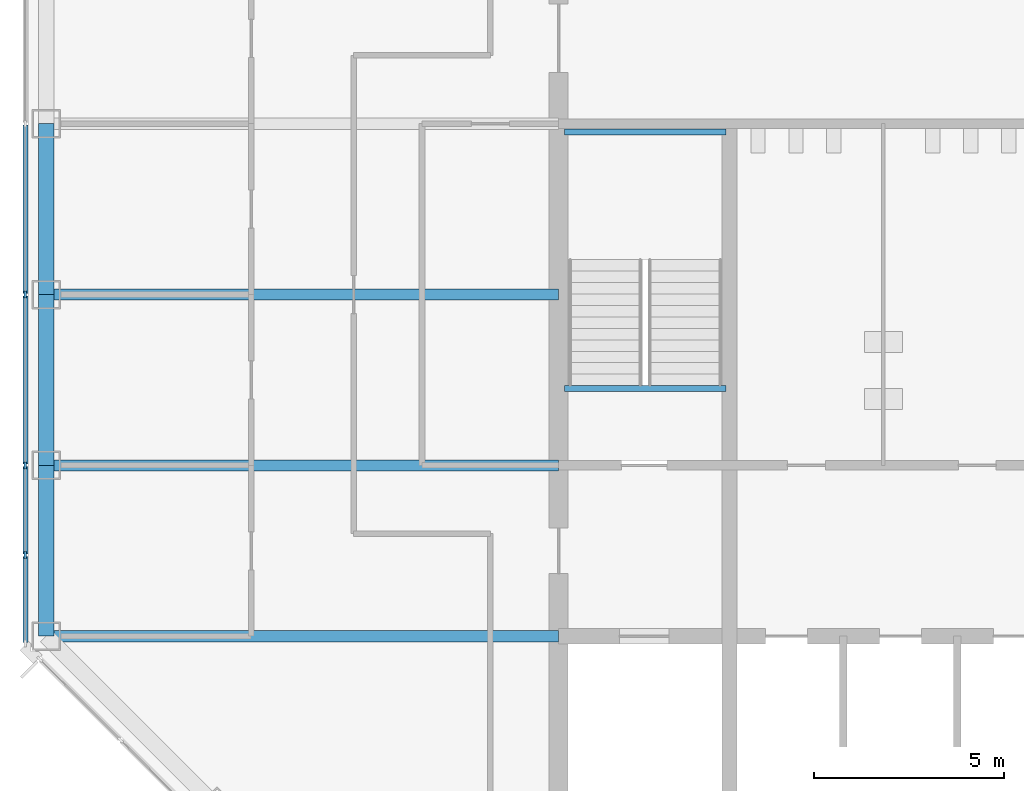
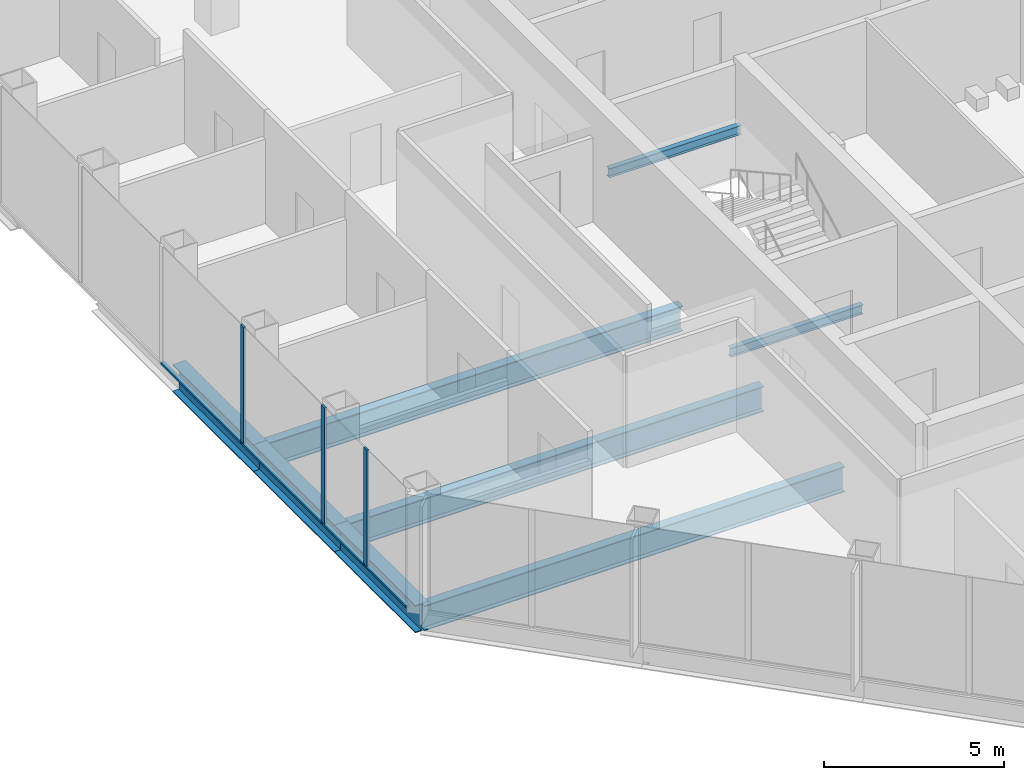
# One storey, part 3 of 13: 8 beams, 7 members, 1 element without a shape of its own.
"""IFC4 building model written with IfcOpenShell, lengths in metres."""

from ifc_helpers import new_model, si_unit, direction, frame, origin, origin_2d, place, context, subcontext, project, spatial, rectangle, i_section, extrude, material, material_profile, profile_set, type_object, element, aggregate, save


model = new_model("IFC4")

# Units and contexts
model_context = context("Model", 3, precision=1e-05, world=origin(), true_north=direction((0.0, 1.0)))
body_context = subcontext(model_context, "Body", "Model", "MODEL_VIEW")
ifc_project = project(units=[si_unit("LENGTHUNIT", "METRE"), si_unit("AREAUNIT", "SQUARE_METRE"), si_unit("VOLUMEUNIT", "CUBIC_METRE"), si_unit("PLANEANGLEUNIT", "RADIAN"), si_unit("MASSUNIT", "GRAM", prefix="KILO")], contexts=[model_context])

# Site, building, storey
site_placement = place(None, origin())
site = spatial("IfcSite", under=ifc_project, at=site_placement, CompositionType="ELEMENT")
building_placement = place(site_placement, origin())
building = spatial("IfcBuilding", under=site, at=building_placement, Name="Corais Broadcast Tower", CompositionType="ELEMENT")
storey_placement = place(building_placement, frame((0.0, 0.0, 195.60009765625)))
storey = spatial("IfcBuildingStorey", under=building, at=storey_placement, Name="L45", CompositionType="ELEMENT", Elevation=195.60009765625)

# Beams
ifc_material_1 = material(Name="Steel ASTM A572 Grade 50", Category="steel")
ifc_material_profile_1 = material_profile(ifc_material_1, i_section(OverallWidth=0.2939453125, OverallDepth=0.85107421875, WebThickness=0.01611328125, FlangeThickness=0.02685546875, at=origin_2d()), Name="W840x226")
ifc_profile_set_1 = profile_set([ifc_material_profile_1], Name="Steel ASTM A572 Grade 50")
beam_type_1 = type_object("IfcBeamType", Name="Floor beam W840x226", PredefinedType="BEAM", material=ifc_profile_set_1)
for number, where, z_axis, x_axis, name in (
    (1, (0.0, 18.0, -0.585693359375), (1.0, 0.0, 0.0), (0.0, 1.0, 0.0), "B1 E/3 to E/6"),
    (2, (0.0, 22.5, -0.585693359375), (1.0, 0.0, 0.0), (0.0, 1.0, 0.0), "B1 F/3 to F/6"),
    (3, (0.0, 27.0, -0.585693359375), (1.0, 0.0, 0.0), (0.0, 1.0, 0.0), "B1 G/3 to G/6"),
):
    element("IfcBeam", number, at=place(storey_placement, frame(where, z_axis=z_axis, x_axis=x_axis)), inside=storey, type_object=beam_type_1, Name=name, PredefinedType="BEAM", context=body_context, shape_type="SweptSolid", body=[
        extrude(i_section(OverallWidth=0.2939453125, OverallDepth=0.85107421875, WebThickness=0.01611328125, FlangeThickness=0.02685546875, at=origin_2d()), origin(), (0.0, 0.0, 1.0), 13.5),
    ])
ifc_material_2 = material(Name="Steel ASTM A572 Grade 50", Category="steel")
ifc_material_profile_2 = material_profile(ifc_material_2, i_section(OverallWidth=0.1650390625, OverallDepth=0.31005859375, WebThickness=0.005859375, FlangeThickness=0.009765625, at=origin_2d()), Name="W310x38.7")
ifc_profile_set_2 = profile_set([ifc_material_profile_2], Name="Steel ASTM A572 Grade 50")
beam_type_2 = type_object("IfcBeamType", Name="Landing trimmer W310x38.7", PredefinedType="BEAM", material=ifc_profile_set_2)
for number, where, z_axis, x_axis, name in (
    (4, (13.64990234375, 24.52490234375, -0.35498046875), (1.0, 0.0, 0.0), (0.0, 1.0, 0.0), "LT1 stair A landing trimmer L45"),
    (5, (13.64990234375, 31.284912109375, 1.64501953125), (1.0, 0.0, 0.0), (0.0, 1.0, 0.0), "LT1 stair A half landing trimmer L45"),
):
    element("IfcBeam", number, at=place(storey_placement, frame(where, z_axis=z_axis, x_axis=x_axis)), inside=storey, type_object=beam_type_2, Name=name, PredefinedType="BEAM", context=body_context, shape_type="SweptSolid", body=[
        extrude(i_section(OverallWidth=0.1650390625, OverallDepth=0.31005859375, WebThickness=0.005859375, FlangeThickness=0.009765625, at=origin_2d()), origin(), (0.0, 0.0, 1.0), 4.25),
    ])

# Curtain wall, members
ifc_material_3 = material(Name="Aluminium and glass", Category="aluminium")
curtain_wall_type = type_object("IfcCurtainWallType", Name="Unitised fritted curtain wall CW2", PredefinedType="NOTDEFINED", material=ifc_material_3)
curtain_wall_placement = place(storey_placement, origin())
curtain_wall = element("IfcCurtainWall", 6, at=curtain_wall_placement, inside=storey, type_object=curtain_wall_type, Name="CW2 curtain wall L45 2", PredefinedType="NOTDEFINED")
ifc_material_4 = material(Name="Aluminium 6063-T6", Category="aluminium")
ifc_material_profile_3 = material_profile(ifc_material_4, rectangle(XDim=0.06494140625, YDim=0.179931640625, at=origin_2d()), Name="Mullion CW2 65x180")
ifc_profile_set_3 = profile_set([ifc_material_profile_3], Name="Aluminium 6063-T6")
member_type_1 = type_object("IfcMemberType", Name="Mullion CW2 65x180", PredefinedType="MULLION", material=ifc_profile_set_3)
member_1_placement = place(storey_placement, frame((-0.550048828125, 20.135986328125, 0.0), z_axis=(0.0, 0.0, 1.0), x_axis=(-1.0, 0.0, 0.0)))
member_1 = element("IfcMember", 7, at=member_1_placement, type_object=member_type_1, Name="CW2 mullion 2", PredefinedType="MULLION", context=body_context, shape_type="SweptSolid", body=[
    extrude(rectangle(XDim=0.06494140625, YDim=0.179931640625, at=origin_2d()), origin(), (0.0, 0.0, 1.0), 4.0),
])
member_2_placement = place(storey_placement, frame((-0.550048828125, 22.5, 0.0), z_axis=(0.0, 0.0, 1.0), x_axis=(-1.0, 0.0, 0.0)))
member_2 = element("IfcMember", 8, at=member_2_placement, type_object=member_type_1, Name="CW2 mullion 3", PredefinedType="MULLION", context=body_context, shape_type="SweptSolid", body=[
    extrude(rectangle(XDim=0.06494140625, YDim=0.179931640625, at=origin_2d()), origin(), (0.0, 0.0, 1.0), 4.0),
])
member_3_placement = place(storey_placement, frame((-0.550048828125, 27.0, 0.0), z_axis=(0.0, 0.0, 1.0), x_axis=(-1.0, 0.0, 0.0)))
member_3 = element("IfcMember", 9, at=member_3_placement, type_object=member_type_1, Name="CW2 mullion 4", PredefinedType="MULLION", context=body_context, shape_type="SweptSolid", body=[
    extrude(rectangle(XDim=0.06494140625, YDim=0.179931640625, at=origin_2d()), origin(), (0.0, 0.0, 1.0), 4.0),
])

# Beams
ifc_material_5 = material(Name="Steel ASTM A572 Grade 50", Category="steel")
ifc_material_profile_4 = material_profile(ifc_material_5, i_section(OverallWidth=0.4189453125, OverallDepth=0.94189453125, WebThickness=0.022216796875, FlangeThickness=0.03662109375, at=origin_2d()), Name="W920x345")
ifc_profile_set_4 = profile_set([ifc_material_profile_4], Name="Steel ASTM A572 Grade 50")
beam_type_3 = type_object("IfcBeamType", Name="Transfer spandrel W920x345", PredefinedType="BEAM", material=ifc_profile_set_4)
for number, where, z_axis, x_axis, name in (
    (10, (0.0, 22.5, -0.631103515625), (0.0, -1.0, 0.0), (1.0, 0.0, 0.0), "SB4 F/3 to E/3"),
    (11, (0.0, 27.0, -0.631103515625), (0.0, -1.0, 0.0), (1.0, 0.0, 0.0), "SB4 G/3 to F/3"),
    (12, (0.0, 31.5, -0.631103515625), (0.0, -1.0, 0.0), (1.0, 0.0, 0.0), "SB4 H/3 to G/3"),
):
    element("IfcBeam", number, at=place(storey_placement, frame(where, z_axis=z_axis, x_axis=x_axis)), inside=storey, type_object=beam_type_3, Name=name, PredefinedType="BEAM", context=body_context, shape_type="SweptSolid", body=[
        extrude(i_section(OverallWidth=0.4189453125, OverallDepth=0.94189453125, WebThickness=0.022216796875, FlangeThickness=0.03662109375, at=origin_2d()), origin(), (0.0, 0.0, 1.0), 4.5),
    ])

# Member
ifc_material_6 = material(Name="Aluminium 6063-T6", Category="aluminium")
ifc_material_profile_5 = material_profile(ifc_material_6, rectangle(XDim=0.1298828125, YDim=0.06494140625, at=origin_2d()), Name="Transom CW2 65x130")
ifc_profile_set_5 = profile_set([ifc_material_profile_5], Name="Aluminium 6063-T6")
member_type_2 = type_object("IfcMemberType", Name="Transom CW2 65x130", PredefinedType="USERDEFINED", material=ifc_profile_set_5)
member_4_placement = place(storey_placement, frame((-0.550048828125, 17.837158203125, 0.032470703125), z_axis=(0.0, 1.0, 0.0), x_axis=(-1.0, 0.0, 0.0)))
member_4 = element("IfcMember", 13, at=member_4_placement, type_object=member_type_2, Name="CW2 transom 1.1", ObjectType="TRANSOM", PredefinedType="USERDEFINED", context=body_context, shape_type="SweptSolid", body=[
    extrude(rectangle(XDim=0.1298828125, YDim=0.06494140625, at=origin_2d()), origin(), (0.0, 0.0, 1.0), 2.266357421875),
])

member_5_placement = place(storey_placement, frame((-0.550048828125, 20.168701171875, 0.032470703125), z_axis=(0.0, 1.0, 0.0), x_axis=(-1.0, 0.0, 0.0)))
member_5 = element("IfcMember", 14, at=member_5_placement, type_object=member_type_2, Name="CW2 transom 2.1", ObjectType="TRANSOM", PredefinedType="USERDEFINED", context=body_context, shape_type="SweptSolid", body=[
    extrude(rectangle(XDim=0.1298828125, YDim=0.06494140625, at=origin_2d()), origin(), (0.0, 0.0, 1.0), 2.298828125),
])

member_6_placement = place(storey_placement, frame((-0.550048828125, 22.532470703125, 0.032470703125), z_axis=(0.0, 1.0, 0.0), x_axis=(-1.0, 0.0, 0.0)))
member_6 = element("IfcMember", 15, at=member_6_placement, type_object=member_type_2, Name="CW2 transom 3.1", ObjectType="TRANSOM", PredefinedType="USERDEFINED", context=body_context, shape_type="SweptSolid", body=[
    extrude(rectangle(XDim=0.1298828125, YDim=0.06494140625, at=origin_2d()), origin(), (0.0, 0.0, 1.0), 4.43505859375),
])

member_7_placement = place(storey_placement, frame((-0.550048828125, 27.032470703125, 0.032470703125), z_axis=(0.0, 1.0, 0.0), x_axis=(-1.0, 0.0, 0.0)))
member_7 = element("IfcMember", 16, at=member_7_placement, type_object=member_type_2, Name="CW2 transom 4.1", ObjectType="TRANSOM", PredefinedType="USERDEFINED", context=body_context, shape_type="SweptSolid", body=[
    extrude(rectangle(XDim=0.1298828125, YDim=0.06494140625, at=origin_2d()), origin(), (0.0, 0.0, 1.0), 4.43505859375),
])

aggregate(curtain_wall, [member_1, member_2, member_3, member_4, member_5, member_6, member_7])

save(model, "model.ifc")
